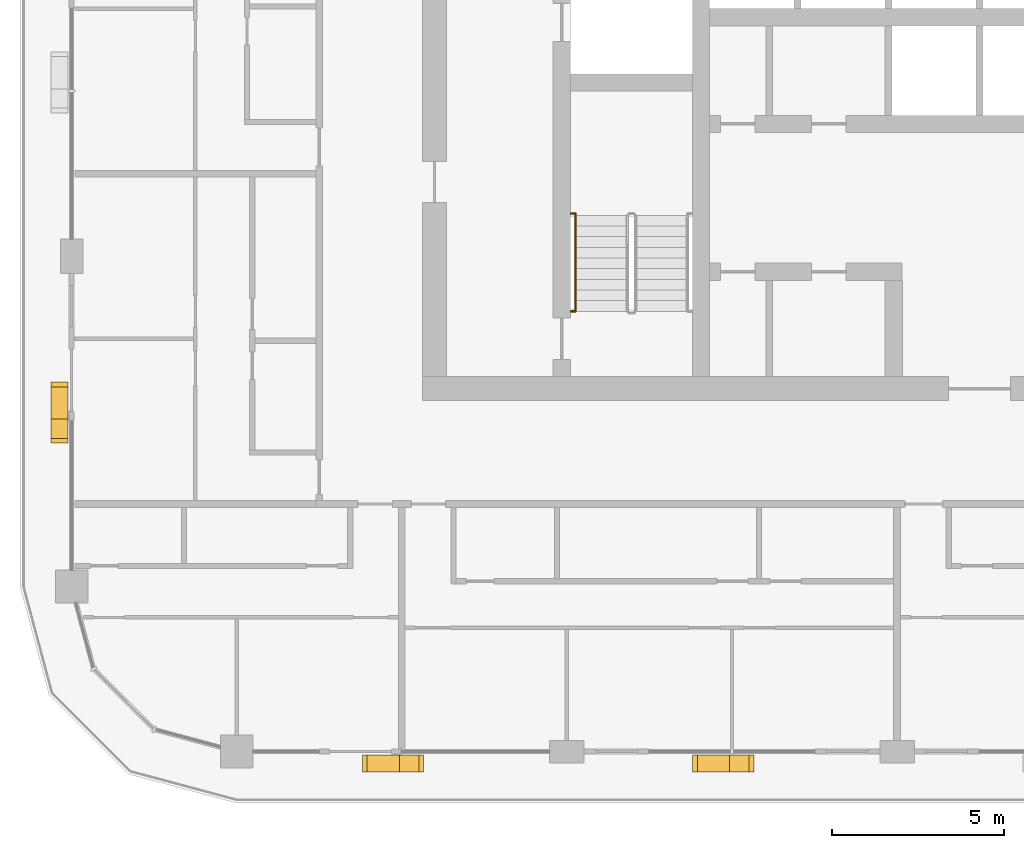
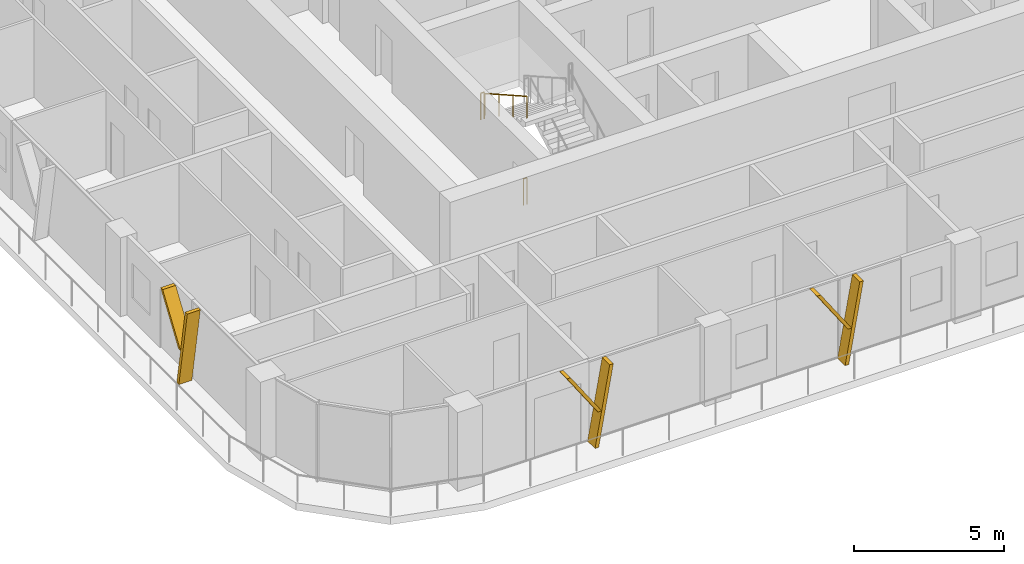
# One storey, part 17 of 23: 6 shading devices, 3 railings.
"""IFC4 building model written with IfcOpenShell, lengths in metres."""

from ifc_helpers import new_model, si_unit, direction, frame, origin, origin_2d, place, context, subcontext, project, spatial, polyline, circle, outline, extrude, material, type_object, element, save


model = new_model("IFC4")

# Units and contexts
model_context = context("Model", 3, precision=1e-05, world=origin(), true_north=direction((0.0, 1.0)))
body_context = subcontext(model_context, "Body", "Model", "MODEL_VIEW")
ifc_project = project(units=[si_unit("LENGTHUNIT", "METRE"), si_unit("AREAUNIT", "SQUARE_METRE"), si_unit("VOLUMEUNIT", "CUBIC_METRE"), si_unit("PLANEANGLEUNIT", "RADIAN"), si_unit("MASSUNIT", "GRAM", prefix="KILO")], contexts=[model_context])

# Site, building, storey
site_placement = place(None, origin())
site = spatial("IfcSite", under=ifc_project, at=site_placement, CompositionType="ELEMENT")
building_placement = place(site_placement, origin())
building = spatial("IfcBuilding", under=site, at=building_placement, Name="Madar Terraces", CompositionType="ELEMENT")
storey_placement = place(building_placement, frame((0.0, 0.0, 222.800048828125)))
storey = spatial("IfcBuildingStorey", under=building, at=storey_placement, Name="L58", CompositionType="ELEMENT", Elevation=222.800048828125)

# Shading devices
ifc_material_1 = material(Name="Aluminium, black anodised", Category="aluminium")
shading_device_type = type_object("IfcShadingDeviceType", Name="Facade fin blade 140 x 500", PredefinedType="USERDEFINED", material=ifc_material_1)
shading_device_1_placement = place(storey_placement, frame((14.330078125, 4.449951171875, 0.0), z_axis=(0.0, 0.0, 1.0), x_axis=(1.0, 0.0, 0.0)))
element("IfcShadingDevice", 1, at=shading_device_1_placement, inside=storey, type_object=shading_device_type, Name="FIN L58 S1", ObjectType="FIN", PredefinedType="USERDEFINED", context=body_context, shape_type="SweptSolid", body=[
    extrude(outline(polyline([(0.0, 0.0), (0.139892578125, 0.0), (0.704345703125, 3.199951171875), (0.564208984375, 3.199951171875), (0.0, 0.0)])), frame((0.0, 0.25, 0.0), z_axis=(0.0, -1.0, 0.0), x_axis=(1.0, 0.0, 0.0)), (0.0, 0.0, 1.0), 0.5),
])
shading_device_2_placement = place(storey_placement, frame((14.44384765625, 4.449951171875, 1.43994140625), z_axis=(0.0, 0.0, 1.0), x_axis=(1.0, 0.0, 0.0)))
element("IfcShadingDevice", 2, at=shading_device_2_placement, inside=storey, type_object=shading_device_type, Name="FIN L58 S1 branch", ObjectType="FIN", PredefinedType="USERDEFINED", context=body_context, shape_type="SweptSolid", body=[
    extrude(outline(polyline([(0.0, 0.0), (0.14013671875, 0.0), (-1.049560546875, 1.760009765625), (-1.189697265625, 1.760009765625), (0.0, 0.0)])), frame((0.0, 0.25, 0.0), z_axis=(0.0, -1.0, 0.0), x_axis=(1.0, 0.0, 0.0)), (0.0, 0.0, 1.0), 0.5),
])
shading_device_3_placement = place(storey_placement, frame((23.929931640625, 4.449951171875, 0.0), z_axis=(0.0, 0.0, 1.0), x_axis=(1.0, 0.0, 0.0)))
element("IfcShadingDevice", 3, at=shading_device_3_placement, inside=storey, type_object=shading_device_type, Name="FIN L58 S2", ObjectType="FIN", PredefinedType="USERDEFINED", context=body_context, shape_type="SweptSolid", body=[
    extrude(outline(polyline([(0.0, 0.0), (0.14013671875, 0.0), (0.704345703125, 3.199951171875), (0.564208984375, 3.199951171875), (0.0, 0.0)])), frame((0.0, 0.25, 0.0), z_axis=(0.0, -1.0, 0.0), x_axis=(1.0, 0.0, 0.0)), (0.0, 0.0, 1.0), 0.5),
])
shading_device_4_placement = place(storey_placement, frame((24.0439453125, 4.449951171875, 1.43994140625), z_axis=(0.0, 0.0, 1.0), x_axis=(1.0, 0.0, 0.0)))
element("IfcShadingDevice", 4, at=shading_device_4_placement, inside=storey, type_object=shading_device_type, Name="FIN L58 S2 branch", ObjectType="FIN", PredefinedType="USERDEFINED", context=body_context, shape_type="SweptSolid", body=[
    extrude(outline(polyline([(0.0, 0.0), (0.139892578125, 0.0), (-1.049560546875, 1.760009765625), (-1.189697265625, 1.760009765625), (0.0, 0.0)])), frame((0.0, 0.25, 0.0), z_axis=(0.0, -1.0, 0.0), x_axis=(1.0, 0.0, 0.0)), (0.0, 0.0, 1.0), 0.5),
])
shading_device_5_placement = place(storey_placement, frame((4.449951171875, 14.469970703125, 0.0), z_axis=(0.0, 0.0, 1.0), x_axis=(0.0, -1.0, 0.0)))
element("IfcShadingDevice", 5, at=shading_device_5_placement, inside=storey, type_object=shading_device_type, Name="FIN L58 W4", ObjectType="FIN", PredefinedType="USERDEFINED", context=body_context, shape_type="SweptSolid", body=[
    extrude(outline(polyline([(0.0, 0.0), (0.139892578125, 0.0), (0.704345703125, 3.199951171875), (0.564208984375, 3.199951171875), (0.0, 0.0)])), frame((0.0, 0.25, 0.0), z_axis=(0.0, -1.0, 0.0), x_axis=(1.0, 0.0, 0.0)), (0.0, 0.0, 1.0), 0.5),
])
shading_device_6_placement = place(storey_placement, frame((4.449951171875, 14.356201171875, 1.43994140625), z_axis=(0.0, 0.0, 1.0), x_axis=(0.0, -1.0, 0.0)))
element("IfcShadingDevice", 6, at=shading_device_6_placement, inside=storey, type_object=shading_device_type, Name="FIN L58 W4 branch", ObjectType="FIN", PredefinedType="USERDEFINED", context=body_context, shape_type="SweptSolid", body=[
    extrude(outline(polyline([(0.0, 0.0), (0.14013671875, 0.0), (-1.049560546875, 1.760009765625), (-1.189697265625, 1.760009765625), (0.0, 0.0)])), frame((0.0, 0.25, 0.0), z_axis=(0.0, -1.0, 0.0), x_axis=(1.0, 0.0, 0.0)), (0.0, 0.0, 1.0), 0.5),
])

# Railings
ifc_material_2 = material(Name="Stainless steel railing", Category="steel")
railing_type_1 = type_object("IfcRailingType", Name="Stair guard 1100", PredefinedType="GUARDRAIL", material=ifc_material_2)
for number, where, name in (
    (7, (19.320068359375, 20.43994140625, 1.75), "L58 stair guard seat 1"),
    (8, (19.320068359375, 17.60009765625, 0.0), "L58 stair guard floor 1"),
):
    element("IfcRailing", number, at=place(storey_placement, frame(where)), inside=storey, type_object=railing_type_1, Name=name, PredefinedType="GUARDRAIL", context=body_context, shape_type="SweptSolid", body=[
        extrude(circle(Radius=0.02392578125, at=origin_2d()), frame((0.0, 0.0, 1.076171875), z_axis=(1.0, 0.0, 0.0), x_axis=(0.0, 1.0, 0.0)), (0.0, 0.0, 1.0), 0.1298828125),
        extrude(circle(Radius=0.02099609375, at=origin_2d()), origin(), (0.0, 0.0, 1.0), 1.052001953125),
        extrude(circle(Radius=0.02099609375, at=origin_2d()), frame((0.1298828125, 0.0, 0.0)), (0.0, 0.0, 1.0), 1.052001953125),
    ])
ifc_material_3 = material(Name="Stainless steel railing", Category="steel")
railing_type_2 = type_object("IfcRailingType", Name="Stair handrail 900", PredefinedType="HANDRAIL", material=ifc_material_3)
railing_placement = place(storey_placement, frame((19.449951171875, 20.389892578125, 1.925048828125)))
element("IfcRailing", 9, at=railing_placement, inside=storey, type_object=railing_type_2, Name="L58 ST1 stair handrail 2", PredefinedType="HANDRAIL", context=body_context, shape_type="SweptSolid", body=[
    extrude(circle(Radius=0.02392578125, at=origin_2d()), frame((0.0, 0.0, 0.8759765625), z_axis=(0.0, -0.870815363784, 0.491610213684), x_axis=(1.0, 0.0, 0.0)), (0.0, 0.0, 1.0), 3.20361328125),
    extrude(circle(Radius=0.02099609375, at=origin_2d()), origin(), (0.0, 0.0, 1.0), 0.851806640625),
    extrude(circle(Radius=0.02099609375, at=origin_2d()), frame((0.0, -0.929931640625, 0.52490234375)), (0.0, 0.0, 1.0), 0.851806640625),
    extrude(circle(Radius=0.02099609375, at=origin_2d()), frame((0.0, -1.85986328125, 1.050048828125)), (0.0, 0.0, 1.0), 0.851806640625),
    extrude(circle(Radius=0.02099609375, at=origin_2d()), frame((0.0, -2.789794921875, 1.574951171875)), (0.0, 0.0, 1.0), 0.851806640625),
])

save(model, "model.ifc")
